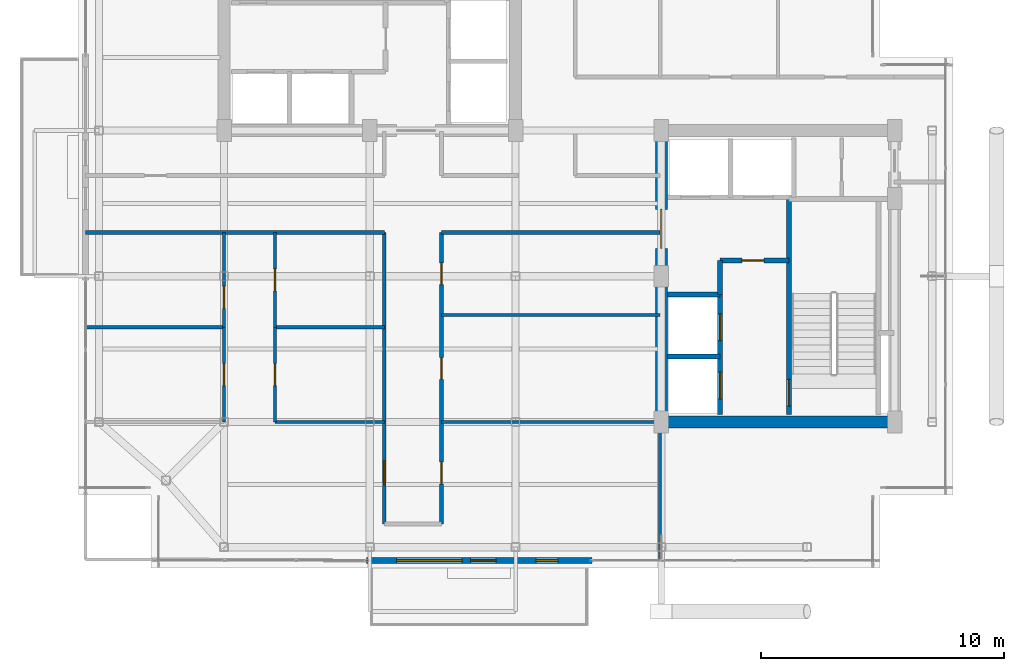
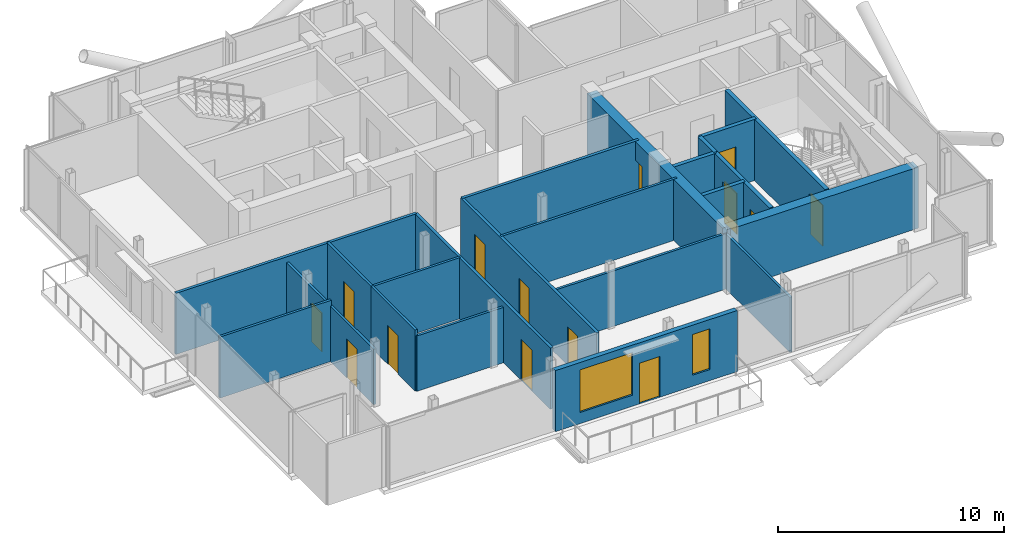
# One storey, part 14 of 18: 23 walls, 14 doors, 2 windows, 16 openings.
"""IFC4 building model written with IfcOpenShell, lengths in metres."""

from ifc_helpers import new_model, si_unit, direction, frame, frame_2d, origin, place, context, subcontext, project, spatial, rectangle, extrude, material, layer, layer_set, type_object, element, fill, save


model = new_model("IFC4")

# Units and contexts
model_context = context("Model", 3, precision=1e-05, world=origin(), true_north=direction((0.0, 1.0)))
body_context = subcontext(model_context, "Body", "Model", "MODEL_VIEW")
ifc_project = project(units=[si_unit("LENGTHUNIT", "METRE"), si_unit("AREAUNIT", "SQUARE_METRE"), si_unit("VOLUMEUNIT", "CUBIC_METRE"), si_unit("PLANEANGLEUNIT", "RADIAN"), si_unit("MASSUNIT", "GRAM", prefix="KILO"), si_unit("THERMODYNAMICTEMPERATUREUNIT", "KELVIN"), si_unit("POWERUNIT", "WATT")], contexts=[model_context])

# Site, building, storey
site_placement = place(None, origin())
site = spatial("IfcSite", under=ifc_project, at=site_placement, CompositionType="ELEMENT")
building_placement = place(site_placement, origin())
building = spatial("IfcBuilding", under=site, at=building_placement, Name="Svarakhadi Broadcast Tower", CompositionType="ELEMENT")
storey_placement = place(building_placement, frame((0.0, 0.0, 267.699951171875)))
storey = spatial("IfcBuildingStorey", under=building, at=storey_placement, Name="L67", CompositionType="ELEMENT", Elevation=267.699951171875)

# Wall, openings, door, windows
ifc_material_1 = material(Name="Concrete C40/50 (IS 456 M50)", Category="concrete")
ifc_layer_1 = layer(ifc_material_1, 0.239990234375)
ifc_layer_set_1 = layer_set([ifc_layer_1], Name="Concrete C40/50 (IS 456 M50)")
wall_type_1 = type_object("IfcWallType", Name="Wall_Ext_240", PredefinedType="SOLIDWALL", material=ifc_layer_set_1)
wall_1_placement = place(storey_placement, frame((21.14501953125, 0.300048828125, 0.0), z_axis=(0.0, 0.0, 1.0), x_axis=(-1.0, 0.0, 0.0)))
wall_1 = element("IfcWall", 1, at=wall_1_placement, inside=storey, type_object=wall_type_1, Name="L67 South Tree Balcony Spandrel Wall", PredefinedType="SOLIDWALL", context=body_context, shape_type="SweptSolid", body=[
    extrude(rectangle(XDim=9.2900390625, YDim=0.239990234375, at=frame_2d((4.64501953125, 0.0))), origin(), (0.0, 0.0, 1.0), 3.300048828125),
])
opening_1_placement = place(wall_1_placement, frame((3.945068359375, 0.0, 0.0)))
opening_1 = element("IfcOpeningElement", 2, at=opening_1_placement, cuts=wall_1, Name="Opening ED-05", PredefinedType="OPENING", context=body_context, shape_type="SweptSolid", body=[
    extrude(rectangle(XDim=1.050048828125, YDim=2.199951171875, at=frame_2d((0.52490234375, 1.10009765625))), frame((0.0, 0.1298828125, 0.0), z_axis=(0.0, -1.0, 0.0), x_axis=(1.0, 0.0, 0.0)), (0.0, 0.0, 1.0), 0.260009765625),
])
opening_2_placement = place(wall_1_placement, frame((5.344970703125, 0.0, 0.60009765625)))
opening_2 = element("IfcOpeningElement", 3, at=opening_2_placement, cuts=wall_1, Name="Opening WN-07", PredefinedType="OPENING", context=body_context, shape_type="SweptSolid", body=[
    extrude(rectangle(XDim=2.699951171875, YDim=2.300048828125, at=frame_2d((1.35009765625, 1.14990234375))), frame((0.0, 0.1298828125, 0.0), z_axis=(0.0, -1.0, 0.0), x_axis=(1.0, 0.0, 0.0)), (0.0, 0.0, 1.0), 0.260009765625),
])
opening_3_placement = place(wall_1_placement, frame((1.39990234375, 0.0, 0.60009765625)))
opening_3 = element("IfcOpeningElement", 4, at=opening_3_placement, cuts=wall_1, Name="Opening WN-04", PredefinedType="OPENING", context=body_context, shape_type="SweptSolid", body=[
    extrude(rectangle(XDim=0.89990234375, YDim=2.199951171875, at=frame_2d((0.449951171875, 1.10009765625))), frame((0.0, 0.1298828125, 0.0), z_axis=(0.0, -1.0, 0.0), x_axis=(1.0, 0.0, 0.0)), (0.0, 0.0, 1.0), 0.260009765625),
])
ifc_material_2 = material(Name="Anodised Bronze Aluminium AA 6063-T6", Category="aluminium")
door_type_1 = type_object("IfcDoorType", Name="Door_Ext_ED05", OperationType="SINGLE_SWING_LEFT", PredefinedType="DOOR", material=ifc_material_2)
door_1_placement = place(opening_1_placement, origin())
door_1 = element("IfcDoor", 5, at=door_1_placement, inside=storey, type_object=door_type_1, Name="L67 South Tree Balcony Door", OperationType="SINGLE_SWING_LEFT", OverallHeight=2.199951171875, OverallWidth=1.050048828125, PredefinedType="DOOR", context=body_context, shape_type="SweptSolid", body=[
    extrude(rectangle(XDim=1.050048828125, YDim=2.199951171875, at=frame_2d((0.52490234375, 1.10009765625))), frame((0.0, 0.02490234375, 0.0), z_axis=(0.0, -1.0, 0.0), x_axis=(1.0, 0.0, 0.0)), (0.0, 0.0, 1.0), 0.050048828125),
])
fill(opening_1, door_1)
ifc_material_3 = material(Name="Double Low-E Laminated Acoustic Glass IGU 36 mm", Category="glass")
window_type_1 = type_object("IfcWindowType", Name="Win_Resi_WN07", PartitioningType="SINGLE_PANEL", PredefinedType="WINDOW", material=ifc_material_3)
window_1_placement = place(opening_2_placement, origin())
window_1 = element("IfcWindow", 6, at=window_1_placement, inside=storey, type_object=window_type_1, Name="L67 South Tree Balcony Window", OverallHeight=2.300048828125, OverallWidth=2.699951171875, PartitioningType="SINGLE_PANEL", PredefinedType="WINDOW", context=body_context, shape_type="SweptSolid", body=[
    extrude(rectangle(XDim=2.699951171875, YDim=2.300048828125, at=frame_2d((1.35009765625, 1.14990234375))), frame((0.0, 0.030029296875, 0.0), z_axis=(0.0, -1.0, 0.0), x_axis=(1.0, 0.0, 0.0)), (0.0, 0.0, 1.0), 0.06005859375),
])
fill(opening_2, window_1)
window_type_2 = type_object("IfcWindowType", Name="Win_Slot_WN04", PartitioningType="SINGLE_PANEL", PredefinedType="WINDOW", material=ifc_material_3)
window_2_placement = place(opening_3_placement, origin())
window_2 = element("IfcWindow", 7, at=window_2_placement, inside=storey, type_object=window_type_2, Name="L67 South Primary Bedroom Slot Window", OverallHeight=2.199951171875, OverallWidth=0.89990234375, PartitioningType="SINGLE_PANEL", PredefinedType="WINDOW", context=body_context, shape_type="SweptSolid", body=[
    extrude(rectangle(XDim=0.89990234375, YDim=2.199951171875, at=frame_2d((0.449951171875, 1.10009765625))), frame((0.0, 0.030029296875, 0.0), z_axis=(0.0, -1.0, 0.0), x_axis=(1.0, 0.0, 0.0)), (0.0, 0.0, 1.0), 0.06005859375),
])
fill(opening_3, window_2)

# Walls
ifc_material_4 = material(Name="Fire-Rated Moisture-Resistant Gypsum Board Partition", Category="gypsum")
ifc_layer_2 = layer(ifc_material_4, 0.125)
ifc_layer_set_2 = layer_set([ifc_layer_2], Name="Fire-Rated Moisture-Resistant Gypsum Board Partition")
wall_type_2 = type_object("IfcWallType", Name="Wall_Part_125", PredefinedType="PARTITIONING", material=ifc_layer_set_2)
wall_2_placement = place(storey_placement, frame((8.10009765625, 6.0, 0.0), z_axis=(0.0, 0.0, 1.0), x_axis=(1.0, 0.0, 0.0)))
element("IfcWall", 8, at=wall_2_placement, inside=storey, type_object=wall_type_2, Name="L67 Apartment A Kitchen Wall", PredefinedType="PARTITIONING", context=body_context, shape_type="SweptSolid", body=[
    extrude(rectangle(XDim=4.5, YDim=0.125, at=frame_2d((2.25, 0.0))), origin(), (0.0, 0.0, 1.0), 2.991943359375),
])
wall_3_placement = place(storey_placement, frame((8.10009765625, 9.89990234375, 0.0), z_axis=(0.0, 0.0, 1.0), x_axis=(1.0, 0.0, 0.0)))
element("IfcWall", 9, at=wall_3_placement, inside=storey, type_object=wall_type_2, Name="L67 Apartment A Kitchen Wall", PredefinedType="PARTITIONING", context=body_context, shape_type="SweptSolid", body=[
    extrude(rectangle(XDim=4.5, YDim=0.125, at=frame_2d((2.25, 0.0))), origin(), (0.0, 0.0, 1.0), 3.300048828125),
])

# Wall, opening, door
wall_4_placement = place(storey_placement, frame((8.10009765625, 6.0, 0.0), z_axis=(0.0, 0.0, 1.0), x_axis=(0.0, 1.0, 0.0)))
wall_4 = element("IfcWall", 10, at=wall_4_placement, inside=storey, type_object=wall_type_2, Name="L67 Apartment A Kitchen Wall", PredefinedType="PARTITIONING", context=body_context, shape_type="SweptSolid", body=[
    extrude(rectangle(XDim=3.89990234375, YDim=0.125, at=frame_2d((1.949951171875, 0.0))), origin(), (0.0, 0.0, 1.0), 3.300048828125),
])
opening_4_placement = place(wall_4_placement, frame((1.5, 0.0, 0.0)))
opening_4 = element("IfcOpeningElement", 11, at=opening_4_placement, cuts=wall_4, Name="Opening D-15", PredefinedType="OPENING", context=body_context, shape_type="SweptSolid", body=[
    extrude(rectangle(XDim=0.89990234375, YDim=2.10009765625, at=frame_2d((0.449951171875, 1.050048828125))), frame((0.0, 0.072509765625, 0.0), z_axis=(0.0, -1.0, 0.0), x_axis=(1.0, 0.0, 0.0)), (0.0, 0.0, 1.0), 0.14501953125),
])
ifc_material_5 = material(Name="Solid-Core Teak Veneer Acoustic Timber Leaf", Category="wood")
door_type_2 = type_object("IfcDoorType", Name="Door_Int_D15", OperationType="SINGLE_SWING_RIGHT", PredefinedType="DOOR", material=ifc_material_5)
door_2_placement = place(opening_4_placement, origin())
door_2 = element("IfcDoor", 12, at=door_2_placement, inside=storey, type_object=door_type_2, Name="L67 Apartment A Kitchen Door", OperationType="SINGLE_SWING_RIGHT", OverallHeight=2.10009765625, OverallWidth=0.89990234375, PredefinedType="DOOR", context=body_context, shape_type="SweptSolid", body=[
    extrude(rectangle(XDim=0.89990234375, YDim=2.10009765625, at=frame_2d((0.449951171875, 1.050048828125))), frame((0.0, 0.02490234375, 0.0), z_axis=(0.0, -1.0, 0.0), x_axis=(1.0, 0.0, 0.0)), (0.0, 0.0, 1.0), 0.050048828125),
])
fill(opening_4, door_2)

wall_5_placement = place(storey_placement, frame((8.10009765625, 9.89990234375, 0.0), z_axis=(0.0, 0.0, 1.0), x_axis=(0.0, 1.0, 0.0)))
wall_5 = element("IfcWall", 13, at=wall_5_placement, inside=storey, type_object=wall_type_2, Name="L67 Apartment A Bathroom Wall", PredefinedType="PARTITIONING", context=body_context, shape_type="SweptSolid", body=[
    extrude(rectangle(XDim=3.900146484375, YDim=0.125, at=frame_2d((1.9501953125, 0.0))), origin(), (0.0, 0.0, 1.0), 3.300048828125),
])
opening_5_placement = place(wall_5_placement, frame((1.5, 0.0, 0.0)))
opening_5 = element("IfcOpeningElement", 14, at=opening_5_placement, cuts=wall_5, Name="Opening D-12", PredefinedType="OPENING", context=body_context, shape_type="SweptSolid", body=[
    extrude(rectangle(XDim=0.89990234375, YDim=2.10009765625, at=frame_2d((0.449951171875, 1.050048828125))), frame((0.0, 0.072509765625, 0.0), z_axis=(0.0, -1.0, 0.0), x_axis=(1.0, 0.0, 0.0)), (0.0, 0.0, 1.0), 0.14501953125),
])
door_type_3 = type_object("IfcDoorType", Name="Door_WC_D01", OperationType="SINGLE_SWING_LEFT", PredefinedType="DOOR", material=ifc_material_5)
door_3_placement = place(opening_5_placement, origin())
door_3 = element("IfcDoor", 15, at=door_3_placement, inside=storey, type_object=door_type_3, Name="L67 Apartment A Bathroom Door", OperationType="SINGLE_SWING_LEFT", OverallHeight=2.10009765625, OverallWidth=0.89990234375, PredefinedType="DOOR", context=body_context, shape_type="SweptSolid", body=[
    extrude(rectangle(XDim=0.89990234375, YDim=2.10009765625, at=frame_2d((0.449951171875, 1.050048828125))), frame((0.0, 0.02490234375, 0.0), z_axis=(0.0, -1.0, 0.0), x_axis=(1.0, 0.0, 0.0)), (0.0, 0.0, 1.0), 0.050048828125),
])
fill(opening_5, door_3)

# Wall
wall_6_placement = place(storey_placement, frame((0.300048828125, 9.89990234375, 0.0), z_axis=(0.0, 0.0, 1.0), x_axis=(1.0, 0.0, 0.0)))
element("IfcWall", 16, at=wall_6_placement, inside=storey, type_object=wall_type_2, Name="L67 Apartment A Bedroom 1 Wall", PredefinedType="PARTITIONING", context=body_context, shape_type="SweptSolid", body=[
    extrude(rectangle(XDim=5.699951171875, YDim=0.125, at=frame_2d((2.85009765625, 0.0))), origin(), (0.0, 0.0, 1.0), 3.300048828125),
])

# Wall, opening, door
wall_7_placement = place(storey_placement, frame((6.0, 6.0, 0.0), z_axis=(0.0, 0.0, 1.0), x_axis=(0.0, 1.0, 0.0)))
wall_7 = element("IfcWall", 17, at=wall_7_placement, inside=storey, type_object=wall_type_2, Name="L67 Apartment A Bedroom 1 Wall", PredefinedType="PARTITIONING", context=body_context, shape_type="SweptSolid", body=[
    extrude(rectangle(XDim=3.89990234375, YDim=0.125, at=frame_2d((1.949951171875, 0.0))), origin(), (0.0, 0.0, 1.0), 2.991943359375),
])
opening_6_placement = place(wall_7_placement, frame((1.5, 0.0, 0.0)))
opening_6 = element("IfcOpeningElement", 18, at=opening_6_placement, cuts=wall_7, Name="Opening D-15", PredefinedType="OPENING", context=body_context, shape_type="SweptSolid", body=[
    extrude(rectangle(XDim=0.89990234375, YDim=2.10009765625, at=frame_2d((0.449951171875, 1.050048828125))), frame((0.0, 0.072509765625, 0.0), z_axis=(0.0, -1.0, 0.0), x_axis=(1.0, 0.0, 0.0)), (0.0, 0.0, 1.0), 0.14501953125),
])
door_4_placement = place(opening_6_placement, origin())
door_4 = element("IfcDoor", 19, at=door_4_placement, inside=storey, type_object=door_type_2, Name="L67 Apartment A Bedroom 1 Door", OperationType="SINGLE_SWING_RIGHT", OverallHeight=2.10009765625, OverallWidth=0.89990234375, PredefinedType="DOOR", context=body_context, shape_type="SweptSolid", body=[
    extrude(rectangle(XDim=0.89990234375, YDim=2.10009765625, at=frame_2d((0.449951171875, 1.050048828125))), frame((0.0, 0.02490234375, 0.0), z_axis=(0.0, -1.0, 0.0), x_axis=(1.0, 0.0, 0.0)), (0.0, 0.0, 1.0), 0.050048828125),
])
fill(opening_6, door_4)

wall_8_placement = place(storey_placement, frame((6.0, 9.89990234375, 0.0), z_axis=(0.0, 0.0, 1.0), x_axis=(0.0, 1.0, 0.0)))
wall_8 = element("IfcWall", 20, at=wall_8_placement, inside=storey, type_object=wall_type_2, Name="L67 Apartment A Bedroom 2 Wall", PredefinedType="PARTITIONING", context=body_context, shape_type="SweptSolid", body=[
    extrude(rectangle(XDim=3.900146484375, YDim=0.125, at=frame_2d((1.9501953125, 0.0))), origin(), (0.0, 0.0, 1.0), 2.991943359375),
])
opening_7_placement = place(wall_8_placement, frame((0.780029296875, 0.0, 0.0)))
opening_7 = element("IfcOpeningElement", 21, at=opening_7_placement, cuts=wall_8, Name="Opening D-14", PredefinedType="OPENING", context=body_context, shape_type="SweptSolid", body=[
    extrude(rectangle(XDim=0.89990234375, YDim=2.10009765625, at=frame_2d((0.449951171875, 1.050048828125))), frame((0.0, 0.072509765625, 0.0), z_axis=(0.0, -1.0, 0.0), x_axis=(1.0, 0.0, 0.0)), (0.0, 0.0, 1.0), 0.14501953125),
])
door_type_4 = type_object("IfcDoorType", Name="Door_Int_D14", OperationType="SINGLE_SWING_LEFT", PredefinedType="DOOR", material=ifc_material_5)
door_5_placement = place(opening_7_placement, origin())
door_5 = element("IfcDoor", 22, at=door_5_placement, inside=storey, type_object=door_type_4, Name="L67 Apartment A Bedroom 2 Door", OperationType="SINGLE_SWING_LEFT", OverallHeight=2.10009765625, OverallWidth=0.89990234375, PredefinedType="DOOR", context=body_context, shape_type="SweptSolid", body=[
    extrude(rectangle(XDim=0.89990234375, YDim=2.10009765625, at=frame_2d((0.449951171875, 1.050048828125))), frame((0.0, 0.02490234375, 0.0), z_axis=(0.0, -1.0, 0.0), x_axis=(1.0, 0.0, 0.0)), (0.0, 0.0, 1.0), 0.050048828125),
])
fill(opening_7, door_5)

# Walls
wall_9_placement = place(storey_placement, frame((14.949951171875, 6.0, 0.0), z_axis=(0.0, 0.0, 1.0), x_axis=(1.0, 0.0, 0.0)))
element("IfcWall", 23, at=wall_9_placement, inside=storey, type_object=wall_type_2, Name="L67 Sky Residents Fitness Gym Wall", PredefinedType="PARTITIONING", context=body_context, shape_type="SweptSolid", body=[
    extrude(rectangle(XDim=9.0, YDim=0.125, at=frame_2d((4.5, 0.0))), origin(), (0.0, 0.0, 1.0), 2.991943359375),
])
wall_10_placement = place(storey_placement, frame((23.949951171875, 0.300048828125, 0.0), z_axis=(0.0, 0.0, 1.0), x_axis=(0.0, 1.0, 0.0)))
element("IfcWall", 24, at=wall_10_placement, inside=storey, type_object=wall_type_2, Name="L67 Sky Residents Fitness Gym Wall", PredefinedType="PARTITIONING", context=body_context, shape_type="SweptSolid", body=[
    extrude(rectangle(XDim=5.699951171875, YDim=0.125, at=frame_2d((2.85009765625, 0.0))), origin(), (0.0, 0.0, 1.0), 2.967041015625),
])
wall_11_placement = place(storey_placement, frame((14.949951171875, 10.39990234375, 0.0), z_axis=(0.0, 0.0, 1.0), x_axis=(1.0, 0.0, 0.0)))
element("IfcWall", 25, at=wall_11_placement, inside=storey, type_object=wall_type_2, Name="L67 Private Cinema Screening Room Wall", PredefinedType="PARTITIONING", context=body_context, shape_type="SweptSolid", body=[
    extrude(rectangle(XDim=9.0, YDim=0.125, at=frame_2d((4.5, 0.0))), origin(), (0.0, 0.0, 1.0), 3.300048828125),
])

# Wall, opening, door
ifc_material_6 = material(Name="Autoclaved Aerated Concrete Blockwork 150 mm", Category="masonry")
ifc_layer_3 = layer(ifc_material_6, 0.14990234375)
ifc_layer_set_3 = layer_set([ifc_layer_3], Name="Autoclaved Aerated Concrete Blockwork 150 mm")
wall_type_3 = type_object("IfcWallType", Name="Wall_Part_150", PredefinedType="PARTITIONING", material=ifc_layer_set_3)
wall_12_placement = place(storey_placement, frame((12.60009765625, 1.800048828125, 0.0), z_axis=(0.0, 0.0, 1.0), x_axis=(0.0, 1.0, 0.0)))
wall_12 = element("IfcWall", 26, at=wall_12_placement, inside=storey, type_object=wall_type_3, Name="L67 Upper Tower Concourse Wall", PredefinedType="PARTITIONING", context=body_context, shape_type="SweptSolid", body=[
    extrude(rectangle(XDim=12.0, YDim=0.14990234375, at=frame_2d((6.0, 0.0))), origin(), (0.0, 0.0, 1.0), 3.300048828125),
])
opening_8_placement = place(wall_12_placement, frame((1.60009765625, 0.0, 0.0)))
opening_8 = element("IfcOpeningElement", 27, at=opening_8_placement, cuts=wall_12, Name="Opening D-09", PredefinedType="OPENING", context=body_context, shape_type="SweptSolid", body=[
    extrude(rectangle(XDim=1.0, YDim=2.199951171875, at=frame_2d((0.5, 1.10009765625))), frame((0.0, 0.0849609375, 0.0), z_axis=(0.0, -1.0, 0.0), x_axis=(1.0, 0.0, 0.0)), (0.0, 0.0, 1.0), 0.169921875),
])
door_type_5 = type_object("IfcDoorType", Name="Door_Suite_D09", OperationType="SINGLE_SWING_RIGHT", PredefinedType="DOOR", material=ifc_material_5)
door_6_placement = place(opening_8_placement, origin())
door_6 = element("IfcDoor", 28, at=door_6_placement, inside=storey, type_object=door_type_5, Name="L67 Apartment A Entrance Door", OperationType="SINGLE_SWING_RIGHT", OverallHeight=2.199951171875, OverallWidth=1.0, PredefinedType="DOOR", context=body_context, shape_type="SweptSolid", body=[
    extrude(rectangle(XDim=1.0, YDim=2.199951171875, at=frame_2d((0.5, 1.10009765625))), frame((0.0, 0.02490234375, 0.0), z_axis=(0.0, -1.0, 0.0), x_axis=(1.0, 0.0, 0.0)), (0.0, 0.0, 1.0), 0.050048828125),
])
fill(opening_8, door_6)

# Walls
wall_13_placement = place(storey_placement, frame((12.60009765625, 13.800048828125, 0.0), z_axis=(0.0, 0.0, 1.0), x_axis=(-1.0, 0.0, 0.0)))
element("IfcWall", 29, at=wall_13_placement, inside=storey, type_object=wall_type_3, Name="L67 Upper Tower Concourse Wall", PredefinedType="PARTITIONING", context=body_context, shape_type="SweptSolid", body=[
    extrude(rectangle(XDim=12.300048828125, YDim=0.14990234375, at=frame_2d((6.14990234375, 0.0))), origin(), (0.0, 0.0, 1.0), 3.300048828125),
])
wall_14_placement = place(storey_placement, frame((23.949951171875, 13.800048828125, 0.0), z_axis=(0.0, 0.0, 1.0), x_axis=(-1.0, 0.0, 0.0)))
element("IfcWall", 30, at=wall_14_placement, inside=storey, type_object=wall_type_3, Name="L67 Upper Tower Concourse Wall", PredefinedType="PARTITIONING", context=body_context, shape_type="SweptSolid", body=[
    extrude(rectangle(XDim=9.0, YDim=0.14990234375, at=frame_2d((4.5, 0.0))), origin(), (0.0, 0.0, 1.0), 3.300048828125),
])

# Wall, openings, doors
wall_15_placement = place(storey_placement, frame((14.949951171875, 13.800048828125, 0.0), z_axis=(0.0, 0.0, 1.0), x_axis=(0.0, -1.0, 0.0)))
wall_15 = element("IfcWall", 31, at=wall_15_placement, inside=storey, type_object=wall_type_3, Name="L67 Upper Tower Concourse Wall", PredefinedType="PARTITIONING", context=body_context, shape_type="SweptSolid", body=[
    extrude(rectangle(XDim=12.0, YDim=0.14990234375, at=frame_2d((6.0, 0.0))), origin(), (0.0, 0.0, 1.0), 3.300048828125),
])
opening_9_placement = place(wall_15_placement, frame((9.449951171875, 0.0, 0.0)))
opening_9 = element("IfcOpeningElement", 32, at=opening_9_placement, cuts=wall_15, Name="Opening D-14", PredefinedType="OPENING", context=body_context, shape_type="SweptSolid", body=[
    extrude(rectangle(XDim=0.89990234375, YDim=2.10009765625, at=frame_2d((0.449951171875, 1.050048828125))), frame((0.0, 0.0849609375, 0.0), z_axis=(0.0, -1.0, 0.0), x_axis=(1.0, 0.0, 0.0)), (0.0, 0.0, 1.0), 0.169921875),
])
opening_10_placement = place(wall_15_placement, frame((5.14990234375, 0.0, 0.0)))
opening_10 = element("IfcOpeningElement", 33, at=opening_10_placement, cuts=wall_15, Name="Opening D-15", PredefinedType="OPENING", context=body_context, shape_type="SweptSolid", body=[
    extrude(rectangle(XDim=0.89990234375, YDim=2.10009765625, at=frame_2d((0.449951171875, 1.050048828125))), frame((0.0, 0.0849609375, 0.0), z_axis=(0.0, -1.0, 0.0), x_axis=(1.0, 0.0, 0.0)), (0.0, 0.0, 1.0), 0.169921875),
])
opening_11_placement = place(wall_15_placement, frame((1.25, 0.0, 0.0)))
opening_11 = element("IfcOpeningElement", 34, at=opening_11_placement, cuts=wall_15, Name="Opening D-14", PredefinedType="OPENING", context=body_context, shape_type="SweptSolid", body=[
    extrude(rectangle(XDim=0.89990234375, YDim=2.10009765625, at=frame_2d((0.449951171875, 1.050048828125))), frame((0.0, 0.0849609375, 0.0), z_axis=(0.0, -1.0, 0.0), x_axis=(1.0, 0.0, 0.0)), (0.0, 0.0, 1.0), 0.169921875),
])
door_7_placement = place(opening_9_placement, origin())
door_7 = element("IfcDoor", 35, at=door_7_placement, inside=storey, type_object=door_type_4, Name="L67 Sky Residents Fitness Gym Door", OperationType="SINGLE_SWING_LEFT", OverallHeight=2.10009765625, OverallWidth=0.89990234375, PredefinedType="DOOR", context=body_context, shape_type="SweptSolid", body=[
    extrude(rectangle(XDim=0.89990234375, YDim=2.10009765625, at=frame_2d((0.449951171875, 1.050048828125))), frame((0.0, 0.02490234375, 0.0), z_axis=(0.0, -1.0, 0.0), x_axis=(1.0, 0.0, 0.0)), (0.0, 0.0, 1.0), 0.050048828125),
])
fill(opening_9, door_7)
door_8_placement = place(opening_11_placement, origin())
door_8 = element("IfcDoor", 36, at=door_8_placement, inside=storey, type_object=door_type_4, Name="L67 Executive Co-Working Office Door", OperationType="SINGLE_SWING_LEFT", OverallHeight=2.10009765625, OverallWidth=0.89990234375, PredefinedType="DOOR", context=body_context, shape_type="SweptSolid", body=[
    extrude(rectangle(XDim=0.89990234375, YDim=2.10009765625, at=frame_2d((0.449951171875, 1.050048828125))), frame((0.0, 0.02490234375, 0.0), z_axis=(0.0, -1.0, 0.0), x_axis=(1.0, 0.0, 0.0)), (0.0, 0.0, 1.0), 0.050048828125),
])
fill(opening_11, door_8)
door_9_placement = place(opening_10_placement, origin())
door_9 = element("IfcDoor", 37, at=door_9_placement, inside=storey, type_object=door_type_2, Name="L67 Private Cinema Screening Room Door", OperationType="SINGLE_SWING_RIGHT", OverallHeight=2.10009765625, OverallWidth=0.89990234375, PredefinedType="DOOR", context=body_context, shape_type="SweptSolid", body=[
    extrude(rectangle(XDim=0.89990234375, YDim=2.10009765625, at=frame_2d((0.449951171875, 1.050048828125))), frame((0.0, 0.02490234375, 0.0), z_axis=(0.0, -1.0, 0.0), x_axis=(1.0, 0.0, 0.0)), (0.0, 0.0, 1.0), 0.050048828125),
])
fill(opening_10, door_9)

# Wall, opening, door
ifc_material_7 = material(Name="Concrete C50/60 (IS 456 M60)", Category="concrete")
ifc_layer_4 = layer(ifc_material_7, 0.199951171875)
ifc_layer_set_4 = layer_set([ifc_layer_4], Name="Concrete C50/60 (IS 456 M60)")
wall_type_4 = type_object("IfcWallType", Name="Wall_Shear_200", PredefinedType="SHEAR", material=ifc_layer_set_4)
wall_16_placement = place(storey_placement, frame((29.260009765625, 6.300048828125, 0.0), z_axis=(0.0, 0.0, 1.0), x_axis=(0.0, 1.0, 0.0)))
wall_16 = element("IfcWall", 38, at=wall_16_placement, inside=storey, type_object=wall_type_4, Name="L67 Stair ST-02 West RC Shaft Wall", PredefinedType="SHEAR", context=body_context, shape_type="SweptSolid", body=[
    extrude(rectangle(XDim=8.8798828125, YDim=0.199951171875, at=frame_2d((4.43994140625, 0.0))), origin(), (0.0, 0.0, 1.0), 3.300048828125),
])
opening_12_placement = place(wall_16_placement, frame((0.35009765625, 0.0, 0.0)))
opening_12 = element("IfcOpeningElement", 39, at=opening_12_placement, cuts=wall_16, Name="Opening D-02", PredefinedType="OPENING", context=body_context, shape_type="SweptSolid", body=[
    extrude(rectangle(XDim=1.10009765625, YDim=2.199951171875, at=frame_2d((0.550048828125, 1.10009765625))), frame((0.0, 0.10986328125, 0.0), z_axis=(0.0, -1.0, 0.0), x_axis=(1.0, 0.0, 0.0)), (0.0, 0.0, 1.0), 0.219970703125),
])
ifc_material_8 = material(Name="Galvanised Powder-Coated Fire-Rated Steel Leaf", Category="steel")
door_type_6 = type_object("IfcDoorType", Name="Door_Stair_D02", OperationType="SINGLE_SWING_RIGHT", PredefinedType="DOOR", material=ifc_material_8)
door_10_placement = place(opening_12_placement, origin())
door_10 = element("IfcDoor", 40, at=door_10_placement, inside=storey, type_object=door_type_6, Name="L67 Protected Exit Stair ST-02 Fire Door", OperationType="SINGLE_SWING_RIGHT", OverallHeight=2.199951171875, OverallWidth=1.10009765625, PredefinedType="DOOR", context=body_context, shape_type="SweptSolid", body=[
    extrude(rectangle(XDim=1.10009765625, YDim=2.199951171875, at=frame_2d((0.550048828125, 1.10009765625))), frame((0.0, 0.02490234375, 0.0), z_axis=(0.0, -1.0, 0.0), x_axis=(1.0, 0.0, 0.0)), (0.0, 0.0, 1.0), 0.050048828125),
])
fill(opening_12, door_10)

# Wall, openings, doors
wall_17_placement = place(storey_placement, frame((26.419921875, 6.300048828125, 0.0), z_axis=(0.0, 0.0, 1.0), x_axis=(0.0, 1.0, 0.0)))
wall_17 = element("IfcWall", 41, at=wall_17_placement, inside=storey, type_object=wall_type_4, Name="L67 Firefighting Lift LF-03/04 Shaft Wall", PredefinedType="SHEAR", context=body_context, shape_type="SweptSolid", body=[
    extrude(rectangle(XDim=4.949951171875, YDim=0.199951171875, at=frame_2d((2.47509765625, 0.0))), origin(), (0.0, 0.0, 1.0), 3.300048828125),
])
opening_13_placement = place(wall_17_placement, frame((0.64990234375, 0.0, 0.0)))
opening_13 = element("IfcOpeningElement", 42, at=opening_13_placement, cuts=wall_17, Name="Opening LD-01", PredefinedType="OPENING", context=body_context, shape_type="SweptSolid", body=[
    extrude(rectangle(XDim=1.10009765625, YDim=2.199951171875, at=frame_2d((0.550048828125, 1.10009765625))), frame((0.0, 0.10986328125, 0.0), z_axis=(0.0, -1.0, 0.0), x_axis=(1.0, 0.0, 0.0)), (0.0, 0.0, 1.0), 0.219970703125),
])
opening_14_placement = place(wall_17_placement, frame((3.050048828125, 0.0, 0.0)))
opening_14 = element("IfcOpeningElement", 43, at=opening_14_placement, cuts=wall_17, Name="Opening LD-01", PredefinedType="OPENING", context=body_context, shape_type="SweptSolid", body=[
    extrude(rectangle(XDim=1.10009765625, YDim=2.199951171875, at=frame_2d((0.550048828125, 1.10009765625))), frame((0.0, 0.10986328125, 0.0), z_axis=(0.0, -1.0, 0.0), x_axis=(1.0, 0.0, 0.0)), (0.0, 0.0, 1.0), 0.219970703125),
])
door_type_7 = type_object("IfcDoorType", Name="Door_Lift_LD01", OperationType="SLIDING_TO_LEFT", PredefinedType="DOOR", material=ifc_material_8)
door_11_placement = place(opening_13_placement, origin())
door_11 = element("IfcDoor", 44, at=door_11_placement, inside=storey, type_object=door_type_7, Name="L67 Firefighting Lift LF-03 Landing Door", OperationType="SLIDING_TO_LEFT", OverallHeight=2.199951171875, OverallWidth=1.10009765625, PredefinedType="DOOR", context=body_context, shape_type="SweptSolid", body=[
    extrude(rectangle(XDim=1.10009765625, YDim=2.199951171875, at=frame_2d((0.550048828125, 1.10009765625))), frame((0.0, 0.02490234375, 0.0), z_axis=(0.0, -1.0, 0.0), x_axis=(1.0, 0.0, 0.0)), (0.0, 0.0, 1.0), 0.050048828125),
])
fill(opening_13, door_11)
door_12_placement = place(opening_14_placement, origin())
door_12 = element("IfcDoor", 45, at=door_12_placement, inside=storey, type_object=door_type_7, Name="L67 Firefighting Lift LF-04 Landing Door", OperationType="SLIDING_TO_LEFT", OverallHeight=2.199951171875, OverallWidth=1.10009765625, PredefinedType="DOOR", context=body_context, shape_type="SweptSolid", body=[
    extrude(rectangle(XDim=1.10009765625, YDim=2.199951171875, at=frame_2d((0.550048828125, 1.10009765625))), frame((0.0, 0.02490234375, 0.0), z_axis=(0.0, -1.0, 0.0), x_axis=(1.0, 0.0, 0.0)), (0.0, 0.0, 1.0), 0.050048828125),
])
fill(opening_14, door_12)

# Walls
for number, where, z_axis, x_axis, name in (
    (46, (24.25, 8.699951171875, 0.0), (0.0, 0.0, 1.0), (1.0, 0.0, 0.0), "L67 Firefighting Lift LF-03/04 Divider Wall"),
    (47, (24.25, 11.25, 0.0), (0.0, 0.0, 1.0), (1.0, 0.0, 0.0), "L67 Firefighting Lift LF-04 North Wall"),
):
    element("IfcWall", number, at=place(storey_placement, frame(where, z_axis=z_axis, x_axis=x_axis)), inside=storey, type_object=wall_type_4, Name=name, PredefinedType="SHEAR", context=body_context, shape_type="SweptSolid", body=[
        extrude(rectangle(XDim=2.169921875, YDim=0.199951171875, at=frame_2d((1.0849609375, 0.0))), origin(), (0.0, 0.0, 1.0), 3.300048828125),
    ])
wall_18_placement = place(storey_placement, frame((26.419921875, 11.25, 0.0), z_axis=(0.0, 0.0, 1.0), x_axis=(0.0, 1.0, 0.0)))
element("IfcWall", 48, at=wall_18_placement, inside=storey, type_object=wall_type_4, Name="L67 East Firefighting Lobby West Wall", PredefinedType="SHEAR", context=body_context, shape_type="SweptSolid", body=[
    extrude(rectangle(XDim=1.39990234375, YDim=0.199951171875, at=frame_2d((0.699951171875, 0.0))), origin(), (0.0, 0.0, 1.0), 3.300048828125),
])

# Wall, opening, door
wall_19_placement = place(storey_placement, frame((26.419921875, 12.64990234375, 0.0), z_axis=(0.0, 0.0, 1.0), x_axis=(1.0, 0.0, 0.0)))
wall_19 = element("IfcWall", 49, at=wall_19_placement, inside=storey, type_object=wall_type_4, Name="L67 East Firefighting Lobby North Wall", PredefinedType="SHEAR", context=body_context, shape_type="SweptSolid", body=[
    extrude(rectangle(XDim=2.840087890625, YDim=0.199951171875, at=frame_2d((1.419921875, 0.0))), origin(), (0.0, 0.0, 1.0), 3.300048828125),
])
opening_15_placement = place(wall_19_placement, frame((0.89990234375, 0.0, 0.0)))
opening_15 = element("IfcOpeningElement", 50, at=opening_15_placement, cuts=wall_19, Name="Opening D-03", PredefinedType="OPENING", context=body_context, shape_type="SweptSolid", body=[
    extrude(rectangle(XDim=0.89990234375, YDim=2.14990234375, at=frame_2d((0.449951171875, 1.074951171875))), frame((0.0, 0.10986328125, 0.0), z_axis=(0.0, -1.0, 0.0), x_axis=(1.0, 0.0, 0.0)), (0.0, 0.0, 1.0), 0.219970703125),
])
door_type_8 = type_object("IfcDoorType", Name="Door_Fire_D03", OperationType="SINGLE_SWING_LEFT", PredefinedType="DOOR", material=ifc_material_8)
door_13_placement = place(opening_15_placement, origin())
door_13 = element("IfcDoor", 51, at=door_13_placement, inside=storey, type_object=door_type_8, Name="L67 East Firefighting Lobby Fire Door", OperationType="SINGLE_SWING_LEFT", OverallHeight=2.14990234375, OverallWidth=0.89990234375, PredefinedType="DOOR", context=body_context, shape_type="SweptSolid", body=[
    extrude(rectangle(XDim=0.89990234375, YDim=2.14990234375, at=frame_2d((0.449951171875, 1.074951171875))), frame((0.0, 0.02490234375, 0.0), z_axis=(0.0, -1.0, 0.0), x_axis=(1.0, 0.0, 0.0)), (0.0, 0.0, 1.0), 0.050048828125),
])
fill(opening_15, door_13)

# Wall
ifc_layer_5 = layer(ifc_material_7, 0.5)
ifc_layer_set_5 = layer_set([ifc_layer_5], Name="Concrete C50/60 (IS 456 M60)")
wall_type_5 = type_object("IfcWallType", Name="Wall_Shear_500", PredefinedType="SHEAR", material=ifc_layer_set_5)
wall_20_placement = place(storey_placement, frame((24.0, 6.0, 0.0), z_axis=(0.0, 0.0, 1.0), x_axis=(1.0, 0.0, 0.0)))
element("IfcWall", 52, at=wall_20_placement, inside=storey, type_object=wall_type_5, Name="L67 East Core South Shear Wall", PredefinedType="SHEAR", context=body_context, shape_type="SweptSolid", body=[
    extrude(rectangle(XDim=9.60009765625, YDim=0.5, at=frame_2d((4.800048828125, 0.0))), origin(), (0.0, 0.0, 1.0), 3.300048828125),
])

# Wall, opening, door
wall_21_placement = place(storey_placement, frame((24.0, 6.0, 0.0), z_axis=(0.0, 0.0, 1.0), x_axis=(0.0, 1.0, 0.0)))
wall_21 = element("IfcWall", 53, at=wall_21_placement, inside=storey, type_object=wall_type_5, Name="L67 East Core West Shear Wall", PredefinedType="SHEAR", context=body_context, shape_type="SweptSolid", body=[
    extrude(rectangle(XDim=12.0, YDim=0.5, at=frame_2d((6.0, 0.0))), origin(), (0.0, 0.0, 1.0), 3.300048828125),
])
opening_16_placement = place(wall_21_placement, frame((7.14990234375, 0.0, 0.0)))
opening_16 = element("IfcOpeningElement", 54, at=opening_16_placement, cuts=wall_21, Name="Opening D-05", PredefinedType="OPENING", context=body_context, shape_type="SweptSolid", body=[
    extrude(rectangle(XDim=1.60009765625, YDim=2.300048828125, at=frame_2d((0.800048828125, 1.14990234375))), frame((0.0, 0.260009765625, 0.0), z_axis=(0.0, -1.0, 0.0), x_axis=(1.0, 0.0, 0.0)), (0.0, 0.0, 1.0), 0.52001953125),
])
door_type_9 = type_object("IfcDoorType", Name="Door_Lobby_D05", OperationType="DOUBLE_DOOR_SLIDING", PredefinedType="DOOR", material=ifc_material_2)
door_14_placement = place(opening_16_placement, origin())
door_14 = element("IfcDoor", 55, at=door_14_placement, inside=storey, type_object=door_type_9, Name="L67 East Core Passenger Lift Lobby Entrance Door", OperationType="DOUBLE_DOOR_SLIDING", OverallHeight=2.300048828125, OverallWidth=1.60009765625, PredefinedType="DOOR", context=body_context, shape_type="SweptSolid", body=[
    extrude(rectangle(XDim=1.60009765625, YDim=2.300048828125, at=frame_2d((0.800048828125, 1.14990234375))), frame((0.0, 0.02490234375, 0.0), z_axis=(0.0, -1.0, 0.0), x_axis=(1.0, 0.0, 0.0)), (0.0, 0.0, 1.0), 0.050048828125),
])
fill(opening_16, door_14)

save(model, "model.ifc")
